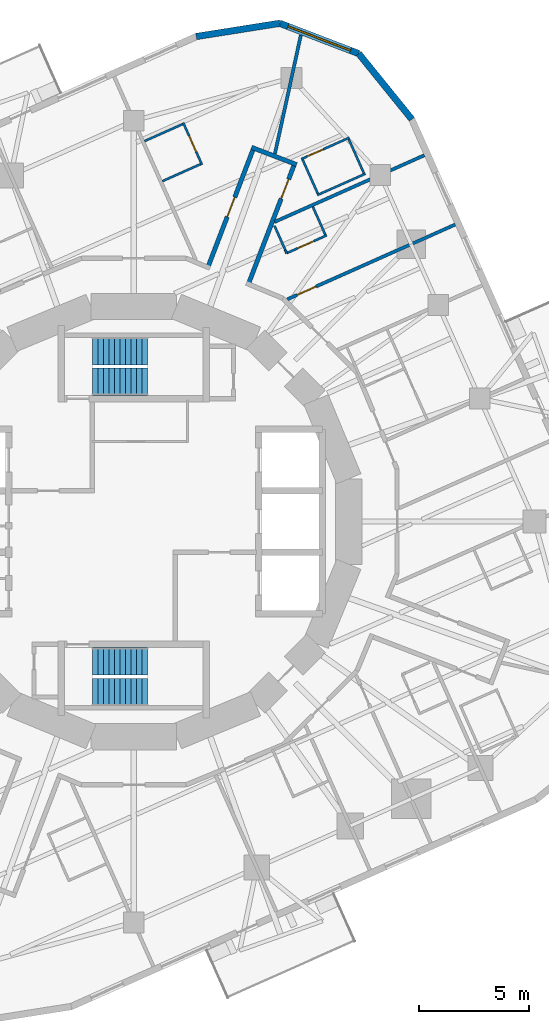
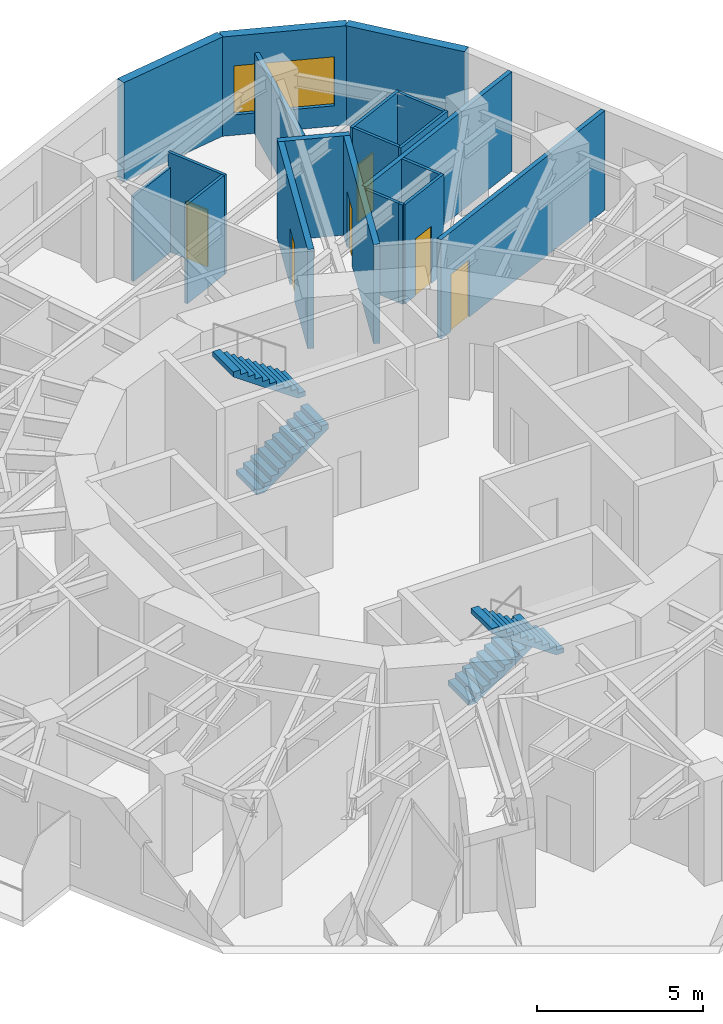
# One storey, part 10 of 12: 20 walls, 6 doors, 4 stair flights, 1 window, 7 openings, 2 elements without a shape of their own.
"""IFC4 building model written with IfcOpenShell, lengths in metres."""

from ifc_helpers import new_model, si_unit, direction, frame, frame_2d, origin, place, context, subcontext, project, spatial, polyline, rectangle, outline, extrude, material, layer, layer_set, type_object, element, fill, aggregate, save


model = new_model("IFC4")

# Units and contexts
model_context = context("Model", 3, precision=1e-05, world=origin(), true_north=direction((0.0, 1.0)))
body_context = subcontext(model_context, "Body", "Model", "MODEL_VIEW")
ifc_project = project(units=[si_unit("LENGTHUNIT", "METRE"), si_unit("AREAUNIT", "SQUARE_METRE"), si_unit("VOLUMEUNIT", "CUBIC_METRE"), si_unit("PLANEANGLEUNIT", "RADIAN"), si_unit("MASSUNIT", "GRAM", prefix="KILO")], contexts=[model_context])

# Site, building, storey
site_placement = place(None, origin())
site = spatial("IfcSite", under=ifc_project, at=site_placement, CompositionType="ELEMENT")
building_placement = place(site_placement, origin())
building = spatial("IfcBuilding", under=site, at=building_placement, Name="Nakasero Lantern House", CompositionType="ELEMENT")
storey_placement = place(building_placement, frame((0.0, 0.0, 197.85009765625)))
storey = spatial("IfcBuildingStorey", under=building, at=storey_placement, Name="L48", CompositionType="ELEMENT", Elevation=197.85009765625)

# Wall, opening, door
ifc_material_1 = material(Name="Blockwork", Category="masonry")
ifc_layer_1 = layer(ifc_material_1, 0.199951171875)
ifc_layer_set_1 = layer_set([ifc_layer_1], Name="Corridor wall 200")
wall_type_1 = type_object("IfcWallType", Name="Corridor wall 200", PredefinedType="PARTITIONING", material=ifc_layer_set_1)
wall_1_placement = place(storey_placement, frame((5.22900390625, 10.831298828125, 0.0), z_axis=(0.0, 0.0, 1.0), x_axis=(0.358357154711, 0.933584570174, 0.0)))
wall_1 = element("IfcWall", 1, at=wall_1_placement, inside=storey, type_object=wall_type_1, Name="Corridor wall L48 SP0a", PredefinedType="PARTITIONING", context=body_context, shape_type="SweptSolid", body=[
    extrude(rectangle(XDim=5.97216796875, YDim=0.199951171875, at=frame_2d((2.986083984375, 0.0))), origin(), (0.0, 0.0, 1.0), 3.64990234375),
])
opening_1_placement = place(wall_1_placement, frame((4.169921875, 0.0, 0.0)))
opening_1 = element("IfcOpeningElement", 2, at=opening_1_placement, cuts=wall_1, Name="Opening D01", PredefinedType="OPENING", context=body_context, shape_type="SweptSolid", body=[
    extrude(rectangle(XDim=0.949951171875, YDim=2.10009765625, at=frame_2d((0.47509765625, 1.050048828125))), frame((0.0, 0.119873046875, 0.0), z_axis=(0.0, -1.0, 0.0), x_axis=(1.0, 0.0, 0.0)), (0.0, 0.0, 1.0), 0.239990234375),
])
ifc_material_2 = material(Name="Timber C24", Category="wood")
door_type_1 = type_object("IfcDoorType", Name="Bedroom door FD30S 950", OperationType="SINGLE_SWING_LEFT", PredefinedType="DOOR", material=ifc_material_2)
door_1_placement = place(opening_1_placement, origin())
door_1 = element("IfcDoor", 3, at=door_1_placement, inside=storey, type_object=door_type_1, Name="Door L48 D0-06", OperationType="SINGLE_SWING_RIGHT", OverallHeight=2.10009765625, OverallWidth=0.949951171875, PredefinedType="DOOR", context=body_context, shape_type="SweptSolid", body=[
    extrude(rectangle(XDim=0.949951171875, YDim=2.10009765625, at=frame_2d((0.47509765625, 1.050048828125))), frame((0.0, 0.02490234375, 0.0), z_axis=(0.0, -1.0, 0.0), x_axis=(1.0, 0.0, 0.0)), (0.0, 0.0, 1.0), 0.050048828125),
])
fill(opening_1, door_1)

wall_2_placement = place(storey_placement, frame((3.380615234375, 11.596923828125, 0.0), z_axis=(0.0, 0.0, 1.0), x_axis=(0.358362690674, 0.933582445172, 0.0)))
wall_2 = element("IfcWall", 4, at=wall_2_placement, inside=storey, type_object=wall_type_1, Name="Corridor wall L48 SP0b", PredefinedType="PARTITIONING", context=body_context, shape_type="SweptSolid", body=[
    extrude(rectangle(XDim=5.91943359375, YDim=0.199951171875, at=frame_2d((2.959716796875, 0.0))), origin(), (0.0, 0.0, 1.0), 3.64990234375),
])
opening_2_placement = place(wall_2_placement, frame((2.469970703125, 0.0, 0.0)))
opening_2 = element("IfcOpeningElement", 5, at=opening_2_placement, cuts=wall_2, Name="Opening D01", PredefinedType="OPENING", context=body_context, shape_type="SweptSolid", body=[
    extrude(rectangle(XDim=0.949951171875, YDim=2.10009765625, at=frame_2d((0.47509765625, 1.050048828125))), frame((0.0, 0.119873046875, 0.0), z_axis=(0.0, -1.0, 0.0), x_axis=(1.0, 0.0, 0.0)), (0.0, 0.0, 1.0), 0.239990234375),
])
door_2_placement = place(opening_2_placement, origin())
door_2 = element("IfcDoor", 6, at=door_2_placement, inside=storey, type_object=door_type_1, Name="Door L48 D1-00", OperationType="SINGLE_SWING_LEFT", OverallHeight=2.10009765625, OverallWidth=0.949951171875, PredefinedType="DOOR", context=body_context, shape_type="SweptSolid", body=[
    extrude(rectangle(XDim=0.949951171875, YDim=2.10009765625, at=frame_2d((0.47509765625, 1.050048828125))), frame((0.0, 0.02490234375, 0.0), z_axis=(0.0, -1.0, 0.0), x_axis=(1.0, 0.0, 0.0)), (0.0, 0.0, 1.0), 0.050048828125),
])
fill(opening_2, door_2)

# Wall
wall_3_placement = place(storey_placement, frame((7.426513671875, 16.277587890625, 0.0), z_axis=(0.0, 0.0, 1.0), x_axis=(-0.933582812604, 0.358361733464, 0.0)))
element("IfcWall", 7, at=wall_3_placement, inside=storey, type_object=wall_type_1, Name="Corridor wall L48 SP0e", PredefinedType="PARTITIONING", context=body_context, shape_type="SweptSolid", body=[
    extrude(rectangle(XDim=2.19970703125, YDim=0.199951171875, at=frame_2d((1.099853515625, 0.0))), origin(), (0.0, 0.0, 1.0), 3.64990234375),
])

# Wall, opening, door
ifc_material_3 = material(Name="Blockwork", Category="masonry")
ifc_layer_2 = layer(ifc_material_3, 0.10009765625)
ifc_layer_set_2 = layer_set([ifc_layer_2], Name="En-suite wall 100")
wall_type_2 = type_object("IfcWallType", Name="En-suite wall 100", PredefinedType="PARTITIONING", material=ifc_layer_set_2)
wall_4_placement = place(storey_placement, frame((6.974853515625, 12.23974609375, 0.0), z_axis=(0.0, 0.0, 1.0), x_axis=(0.913549606868, 0.406727323635, 0.0)))
wall_4 = element("IfcWall", 8, at=wall_4_placement, inside=storey, type_object=wall_type_2, Name="En-suite wall L48 ES0-05", PredefinedType="PARTITIONING", context=body_context, shape_type="SweptSolid", body=[
    extrude(rectangle(XDim=2.0, YDim=0.10009765625, at=frame_2d((1.0, 0.0))), origin(), (0.0, 0.0, 1.0), 3.64990234375),
])
opening_3_placement = place(wall_4_placement, frame((0.550048828125, 0.0, 0.0)))
opening_3 = element("IfcOpeningElement", 9, at=opening_3_placement, cuts=wall_4, Name="Opening D02", PredefinedType="OPENING", context=body_context, shape_type="SweptSolid", body=[
    extrude(rectangle(XDim=0.800048828125, YDim=2.10009765625, at=frame_2d((0.39990234375, 1.050048828125))), frame((0.0, 0.070068359375, 0.0), z_axis=(0.0, -1.0, 0.0), x_axis=(1.0, 0.0, 0.0)), (0.0, 0.0, 1.0), 0.14013671875),
])
ifc_material_4 = material(Name="Timber C24", Category="wood")
door_type_2 = type_object("IfcDoorType", Name="En-suite door 800", OperationType="SINGLE_SWING_RIGHT", PredefinedType="DOOR", material=ifc_material_4)
door_3_placement = place(opening_3_placement, origin())
door_3 = element("IfcDoor", 10, at=door_3_placement, inside=storey, type_object=door_type_2, Name="Door L48 DE0-05", OperationType="SINGLE_SWING_LEFT", OverallHeight=2.10009765625, OverallWidth=0.800048828125, PredefinedType="DOOR", context=body_context, shape_type="SweptSolid", body=[
    extrude(rectangle(XDim=0.800048828125, YDim=2.10009765625, at=frame_2d((0.39990234375, 1.050048828125))), frame((0.0, 0.02490234375, 0.0), z_axis=(0.0, -1.0, 0.0), x_axis=(1.0, 0.0, 0.0)), (0.0, 0.0, 1.0), 0.050048828125),
])
fill(opening_3, door_3)

# Wall
wall_5_placement = place(storey_placement, frame((8.736083984375, 13.07861328125, 0.0), z_axis=(0.0, 0.0, 1.0), x_axis=(-0.406801678348, 0.9135164993, 0.0)))
element("IfcWall", 11, at=wall_5_placement, inside=storey, type_object=wall_type_2, Name="En-suite wall L48 EE0-05", PredefinedType="PARTITIONING", context=body_context, shape_type="SweptSolid", body=[
    extrude(rectangle(XDim=1.400146484375, YDim=0.10009765625, at=frame_2d((0.7001953125, 0.0))), origin(), (0.0, 0.0, 1.0), 3.64990234375),
])

# Wall, opening, door
wall_6_placement = place(storey_placement, frame((7.63720703125, 16.530029296875, 0.0), z_axis=(0.0, 0.0, 1.0), x_axis=(0.913513461389, 0.406808500233, 0.0)))
wall_6 = element("IfcWall", 12, at=wall_6_placement, inside=storey, type_object=wall_type_2, Name="En-suite wall L48 ES0-06", PredefinedType="PARTITIONING", context=body_context, shape_type="SweptSolid", body=[
    extrude(rectangle(XDim=2.39990234375, YDim=0.10009765625, at=frame_2d((1.199951171875, 0.0))), origin(), (0.0, 0.0, 1.0), 3.64990234375),
])
opening_4_placement = place(wall_6_placement, frame((0.300048828125, 0.0, 0.0)))
opening_4 = element("IfcOpeningElement", 13, at=opening_4_placement, cuts=wall_6, Name="Opening D02", PredefinedType="OPENING", context=body_context, shape_type="SweptSolid", body=[
    extrude(rectangle(XDim=0.800048828125, YDim=2.10009765625, at=frame_2d((0.39990234375, 1.050048828125))), frame((0.0, 0.070068359375, 0.0), z_axis=(0.0, -1.0, 0.0), x_axis=(1.0, 0.0, 0.0)), (0.0, 0.0, 1.0), 0.14013671875),
])
door_4_placement = place(opening_4_placement, origin())
door_4 = element("IfcDoor", 14, at=door_4_placement, inside=storey, type_object=door_type_2, Name="Door L48 DE0-06", OperationType="SINGLE_SWING_LEFT", OverallHeight=2.10009765625, OverallWidth=0.800048828125, PredefinedType="DOOR", context=body_context, shape_type="SweptSolid", body=[
    extrude(rectangle(XDim=0.800048828125, YDim=2.10009765625, at=frame_2d((0.39990234375, 1.050048828125))), frame((0.0, 0.02490234375, 0.0), z_axis=(0.0, -1.0, 0.0), x_axis=(1.0, 0.0, 0.0)), (0.0, 0.0, 1.0), 0.050048828125),
])
fill(opening_4, door_4)

# Walls
wall_7_placement = place(storey_placement, frame((8.369384765625, 14.8857421875, 0.0), z_axis=(0.0, 0.0, 1.0), x_axis=(0.913551263516, 0.406723602621, 0.0)))
element("IfcWall", 15, at=wall_7_placement, inside=storey, type_object=wall_type_2, Name="En-suite wall L48 EV0-06", PredefinedType="PARTITIONING", context=body_context, shape_type="SweptSolid", body=[
    extrude(rectangle(XDim=2.39990234375, YDim=0.10009765625, at=frame_2d((1.199951171875, 0.0))), origin(), (0.0, 0.0, 1.0), 3.64990234375),
])
for number, where, z_axis, x_axis, name in (
    (16, (10.495849609375, 15.88720703125, 0.0), (0.0, 0.0, 1.0), (-0.406724697108, 0.913550776237, 0.0), "En-suite wall L48 EE0-06"),
    (17, (8.39453125, 14.95166015625, 0.0), (0.0, 0.0, 1.0), (-0.406724697108, 0.913550776237, 0.0), "En-suite wall L48 EI0-06"),
):
    element("IfcWall", number, at=place(storey_placement, frame(where, z_axis=z_axis, x_axis=x_axis)), inside=storey, type_object=wall_type_2, Name=name, PredefinedType="PARTITIONING", context=body_context, shape_type="SweptSolid", body=[
        extrude(rectangle(XDim=1.699951171875, YDim=0.10009765625, at=frame_2d((0.85009765625, 0.0))), origin(), (0.0, 0.0, 1.0), 3.64990234375),
    ])

# Wall, opening, door
wall_8_placement = place(storey_placement, frame((3.11083984375, 16.27197265625, 0.0), z_axis=(0.0, 0.0, 1.0), x_axis=(-0.406774771494, 0.913528480824, 0.0)))
wall_8 = element("IfcWall", 18, at=wall_8_placement, inside=storey, type_object=wall_type_2, Name="En-suite wall L48 ES1-00", PredefinedType="PARTITIONING", context=body_context, shape_type="SweptSolid", body=[
    extrude(rectangle(XDim=2.10009765625, YDim=0.10009765625, at=frame_2d((1.050048828125, 0.0))), origin(), (0.0, 0.0, 1.0), 3.64990234375),
])
opening_5_placement = place(wall_8_placement, frame((0.64990234375, 0.0, 0.0)))
opening_5 = element("IfcOpeningElement", 19, at=opening_5_placement, cuts=wall_8, Name="Opening D02", PredefinedType="OPENING", context=body_context, shape_type="SweptSolid", body=[
    extrude(rectangle(XDim=0.800048828125, YDim=2.10009765625, at=frame_2d((0.39990234375, 1.050048828125))), frame((0.0, 0.070068359375, 0.0), z_axis=(0.0, -1.0, 0.0), x_axis=(1.0, 0.0, 0.0)), (0.0, 0.0, 1.0), 0.14013671875),
])
door_5_placement = place(opening_5_placement, origin())
door_5 = element("IfcDoor", 20, at=door_5_placement, inside=storey, type_object=door_type_2, Name="Door L48 DE1-00", OperationType="SINGLE_SWING_RIGHT", OverallHeight=2.10009765625, OverallWidth=0.800048828125, PredefinedType="DOOR", context=body_context, shape_type="SweptSolid", body=[
    extrude(rectangle(XDim=0.800048828125, YDim=2.10009765625, at=frame_2d((0.39990234375, 1.050048828125))), frame((0.0, 0.02490234375, 0.0), z_axis=(0.0, -1.0, 0.0), x_axis=(1.0, 0.0, 0.0)), (0.0, 0.0, 1.0), 0.050048828125),
])
fill(opening_5, door_5)

# Walls
wall_9_placement = place(storey_placement, frame((2.2314453125, 18.12451171875, 0.0), z_axis=(0.0, 0.0, 1.0), x_axis=(-0.913572953725, -0.406674880245, 0.0)))
element("IfcWall", 21, at=wall_9_placement, inside=storey, type_object=wall_type_2, Name="En-suite wall L48 EE1-00", PredefinedType="PARTITIONING", context=body_context, shape_type="SweptSolid", body=[
    extrude(rectangle(XDim=1.900146484375, YDim=0.10009765625, at=frame_2d((0.9501953125, 0.0))), origin(), (0.0, 0.0, 1.0), 3.11328125),
])
wall_10_placement = place(storey_placement, frame((3.044677734375, 16.29736328125, 0.0), z_axis=(0.0, 0.0, 1.0), x_axis=(-0.913551699523, -0.406722623293, 0.0)))
element("IfcWall", 22, at=wall_10_placement, inside=storey, type_object=wall_type_2, Name="En-suite wall L48 EI1-00", PredefinedType="PARTITIONING", context=body_context, shape_type="SweptSolid", body=[
    extrude(rectangle(XDim=1.89990234375, YDim=0.10009765625, at=frame_2d((0.949951171875, 0.0))), origin(), (0.0, 0.0, 1.0), 3.64990234375),
])
wall_11_placement = place(storey_placement, frame((6.419677734375, 13.48681640625, 0.0), z_axis=(0.0, 0.0, 1.0), x_axis=(0.406815070933, -0.913510535277, 0.0)))
element("IfcWall", 23, at=wall_11_placement, inside=storey, type_object=wall_type_2, Name="En-suite wall L48 EX000", PredefinedType="PARTITIONING", context=body_context, shape_type="SweptSolid", body=[
    extrude(rectangle(XDim=1.205078125, YDim=0.10009765625, at=frame_2d((0.6025390625, 0.0))), origin(), (0.0, 0.0, 1.0), 3.64990234375),
])
wall_12_placement = place(storey_placement, frame((6.974853515625, 12.23974609375, 0.0), z_axis=(0.0, 0.0, 1.0), x_axis=(-0.405855313637, 0.913937341612, 0.0)))
element("IfcWall", 24, at=wall_12_placement, inside=storey, type_object=wall_type_2, Name="En-suite wall L48 ES0-05R0", PredefinedType="PARTITIONING", context=body_context, shape_type="SweptSolid", body=[
    extrude(rectangle(XDim=0.159912109375, YDim=0.10009765625, at=frame_2d((0.080078125, 0.0))), origin(), (0.0, 0.0, 1.0), 3.64990234375),
])
ifc_material_5 = material(Name="Aluminium rainscreen on blockwork", Category="masonry")
ifc_layer_3 = layer(ifc_material_5, 0.300048828125)
ifc_layer_set_3 = layer_set([ifc_layer_3], Name="Facade wall 300")
wall_type_3 = type_object("IfcWallType", Name="Facade wall 300", PredefinedType="SOLIDWALL", material=ifc_layer_set_3)
wall_13_placement = place(storey_placement, frame((12.684814453125, 18.345458984375, 0.0), z_axis=(0.0, 0.0, 1.0), x_axis=(-0.629285642335, 0.777174099125, 0.0)))
element("IfcWall", 25, at=wall_13_placement, inside=storey, type_object=wall_type_3, Name="Facade wall L48 FW0C1", PredefinedType="SOLIDWALL", context=body_context, shape_type="SweptSolid", body=[
    extrude(rectangle(XDim=3.8564453125, YDim=0.300048828125, at=frame_2d((1.92822265625, 0.0))), origin(), (0.0, 0.0, 1.0), 3.64990234375),
])

# Wall, opening, window
wall_14_placement = place(storey_placement, frame((10.258056640625, 21.342529296875, 0.0), z_axis=(0.0, 0.0, 1.0), x_axis=(-0.933598278948, 0.358321438858, 0.0)))
wall_14 = element("IfcWall", 26, at=wall_14_placement, inside=storey, type_object=wall_type_3, Name="Facade wall L48 FW0C2", PredefinedType="SOLIDWALL", context=body_context, shape_type="SweptSolid", body=[
    extrude(rectangle(XDim=3.8564453125, YDim=0.300048828125, at=frame_2d((1.92822265625, 0.0))), origin(), (0.0, 0.0, 1.0), 3.64990234375),
])
opening_6_placement = place(wall_14_placement, frame((0.39990234375, 0.0, 0.75)))
opening_6 = element("IfcOpeningElement", 27, at=opening_6_placement, cuts=wall_14, Name="Opening W230", PredefinedType="OPENING", context=body_context, shape_type="SweptSolid", body=[
    extrude(rectangle(XDim=3.055908203125, YDim=1.800048828125, at=frame_2d((1.52783203125, 0.89990234375))), frame((0.0, 0.169921875, 0.0), z_axis=(0.0, -1.0, 0.0), x_axis=(1.0, 0.0, 0.0)), (0.0, 0.0, 1.0), 0.340087890625),
])
ifc_material_6 = material(Name="Aluminium 6063-T6 and glass", Category="aluminium")
window_type = type_object("IfcWindowType", Name="Corner window 3056x1800", PartitioningType="SINGLE_PANEL", PredefinedType="WINDOW", material=ifc_material_6)
window_placement = place(opening_6_placement, origin())
window = element("IfcWindow", 28, at=window_placement, inside=storey, type_object=window_type, Name="Window L48 WC0", OverallHeight=1.800048828125, OverallWidth=3.055908203125, PartitioningType="SINGLE_PANEL", PredefinedType="WINDOW", context=body_context, shape_type="SweptSolid", body=[
    extrude(rectangle(XDim=3.055908203125, YDim=1.800048828125, at=frame_2d((1.52783203125, 0.89990234375))), frame((0.0, 0.030029296875, 0.0), z_axis=(0.0, -1.0, 0.0), x_axis=(1.0, 0.0, 0.0)), (0.0, 0.0, 1.0), 0.06005859375),
])
fill(opening_6, window)

# Wall
wall_15_placement = place(storey_placement, frame((6.65771484375, 22.724365234375, 0.0), z_axis=(0.0, 0.0, 1.0), x_axis=(-0.987687906802, -0.156437203878, 0.0)))
element("IfcWall", 29, at=wall_15_placement, inside=storey, type_object=wall_type_3, Name="Facade wall L48 FW0C3", PredefinedType="SOLIDWALL", context=body_context, shape_type="SweptSolid", body=[
    extrude(rectangle(XDim=3.856201171875, YDim=0.300048828125, at=frame_2d((1.92822265625, 0.0))), origin(), (0.0, 0.0, 1.0), 3.64990234375),
])

# Wall, opening, door
ifc_material_7 = material(Name="Blockwork", Category="masonry")
ifc_layer_4 = layer(ifc_material_7, 0.14990234375)
ifc_layer_set_4 = layer_set([ifc_layer_4], Name="Party wall 150")
wall_type_4 = type_object("IfcWallType", Name="Party wall 150", PredefinedType="PARTITIONING", material=ifc_layer_set_4)
wall_16_placement = place(storey_placement, frame((6.99267578125, 10.130615234375, 0.0), z_axis=(0.0, 0.0, 1.0), x_axis=(0.913547411288, 0.406732255089, 0.0)))
wall_16 = element("IfcWall", 30, at=wall_16_placement, inside=storey, type_object=wall_type_4, Name="Party wall L48 PW0-05", PredefinedType="PARTITIONING", context=body_context, shape_type="SweptSolid", body=[
    extrude(rectangle(XDim=8.3916015625, YDim=0.14990234375, at=frame_2d((4.19580078125, 0.0))), origin(), (0.0, 0.0, 1.0), 3.64990234375),
])
opening_7_placement = place(wall_16_placement, frame((0.5, 0.0, 0.0)))
opening_7 = element("IfcOpeningElement", 31, at=opening_7_placement, cuts=wall_16, Name="Opening D01", PredefinedType="OPENING", context=body_context, shape_type="SweptSolid", body=[
    extrude(rectangle(XDim=0.949951171875, YDim=2.10009765625, at=frame_2d((0.47509765625, 1.050048828125))), frame((0.0, 0.094970703125, 0.0), z_axis=(0.0, -1.0, 0.0), x_axis=(1.0, 0.0, 0.0)), (0.0, 0.0, 1.0), 0.18994140625),
])
door_6_placement = place(opening_7_placement, origin())
door_6 = element("IfcDoor", 32, at=door_6_placement, inside=storey, type_object=door_type_1, Name="Door L48 DS0-05", OperationType="SINGLE_SWING_LEFT", OverallHeight=2.10009765625, OverallWidth=0.949951171875, PredefinedType="DOOR", context=body_context, shape_type="SweptSolid", body=[
    extrude(rectangle(XDim=0.949951171875, YDim=2.10009765625, at=frame_2d((0.47509765625, 1.050048828125))), frame((0.0, 0.02490234375, 0.0), z_axis=(0.0, -1.0, 0.0), x_axis=(1.0, 0.0, 0.0)), (0.0, 0.0, 1.0), 0.050048828125),
])
fill(opening_7, door_6)

# Walls
wall_17_placement = place(storey_placement, frame((6.423095703125, 13.663330078125, 0.0), z_axis=(0.0, 0.0, 1.0), x_axis=(0.913546019887, 0.406735380252, 0.0)))
element("IfcWall", 33, at=wall_17_placement, inside=storey, type_object=wall_type_4, Name="Party wall L48 PW0-06", PredefinedType="PARTITIONING", context=body_context, shape_type="SweptSolid", body=[
    extrude(rectangle(XDim=7.474853515625, YDim=0.14990234375, at=frame_2d((3.7373046875, 0.0))), origin(), (0.0, 0.0, 1.0), 3.64990234375),
])
wall_18_placement = place(storey_placement, frame((6.435546875, 16.76513671875, 0.0), z_axis=(0.0, 0.0, 1.0), x_axis=(0.213734913997, 0.976891696422, 0.0)))
element("IfcWall", 34, at=wall_18_placement, inside=storey, type_object=wall_type_4, Name="Party wall L48 PW1-00", PredefinedType="PARTITIONING", context=body_context, shape_type="SweptSolid", body=[
    extrude(rectangle(XDim=5.55126953125, YDim=0.14990234375, at=frame_2d((2.775634765625, 0.0))), origin(), (0.0, 0.0, 1.0), 2.96630859375),
])

# Stair, stair flights
ifc_material_8 = material(Name="Concrete C40/50", Category="concrete")
stair_type_1 = type_object("IfcStairType", Name="Escape stair ST1 22 risers", PredefinedType="HALF_TURN_STAIR", material=ifc_material_8)
stair_1_placement = place(storey_placement, origin())
stair_1 = element("IfcStair", 35, at=stair_1_placement, inside=storey, type_object=stair_type_1, Name="Escape stair ST1 L48", PredefinedType="HALF_TURN_STAIR")
ifc_material_9 = material(Name="Concrete C40/50", Category="concrete")
stair_flight_type = type_object("IfcStairFlightType", Name="Escape stair flight", PredefinedType="STRAIGHT", material=ifc_material_9)
stair_flight_1_placement = place(storey_placement, frame((-1.875, 6.375, 0.0), z_axis=(0.0, 0.0, 1.0), x_axis=(1.0, 0.0, 0.0)))
stair_flight_1 = element("IfcStairFlight", 36, at=stair_flight_1_placement, type_object=stair_flight_type, Name="ST1 flight 1", NumberOfRisers=11, NumberOfTreads=10, PredefinedType="STRAIGHT", RiserHeight=0.175, TreadLength=0.25, context=body_context, shape_type="SweptSolid", body=[
    extrude(outline(polyline([(0.0, 0.0), (0.0, 0.175048828125), (0.25, 0.175048828125), (0.25, 0.35009765625), (0.5, 0.35009765625), (0.5, 0.52490234375), (0.75, 0.52490234375), (0.75, 0.699951171875), (1.0, 0.699951171875), (1.0, 0.875), (1.25, 0.875), (1.25, 1.050048828125), (1.5, 1.050048828125), (1.5, 1.22509765625), (1.75, 1.22509765625), (1.75, 1.39990234375), (2.0, 1.39990234375), (2.0, 1.574951171875), (2.25, 1.574951171875), (2.25, 1.75), (2.5, 1.75), (2.5, 1.925048828125), (2.5, 1.567138671875), (0.261474609375, 0.0), (0.0, 0.0)])), frame((0.0, 0.625, 0.0), z_axis=(0.0, -1.0, 0.0), x_axis=(1.0, 0.0, 0.0)), (0.0, 0.0, 1.0), 1.25),
])
stair_flight_2_placement = place(storey_placement, frame((0.625, 7.77490234375, 1.9248046875), z_axis=(0.0, 0.0, 1.0), x_axis=(-1.0, 0.0, 0.0)))
stair_flight_2 = element("IfcStairFlight", 37, at=stair_flight_2_placement, type_object=stair_flight_type, Name="ST1 flight 2", NumberOfRisers=11, NumberOfTreads=10, PredefinedType="STRAIGHT", RiserHeight=0.175, TreadLength=0.25, context=body_context, shape_type="SweptSolid", body=[
    extrude(outline(polyline([(0.0, 0.0), (0.0, 0.175048828125), (0.25, 0.175048828125), (0.25, 0.35009765625), (0.5, 0.35009765625), (0.5, 0.52490234375), (0.75, 0.52490234375), (0.75, 0.699951171875), (1.0, 0.699951171875), (1.0, 0.875), (1.25, 0.875), (1.25, 1.050048828125), (1.5, 1.050048828125), (1.5, 1.22509765625), (1.75, 1.22509765625), (1.75, 1.39990234375), (2.0, 1.39990234375), (2.0, 1.574951171875), (2.25, 1.574951171875), (2.25, 1.75), (2.5, 1.75), (2.5, 1.925048828125), (2.5, 1.567138671875), (0.261474609375, 0.0), (0.0, 0.0)])), frame((0.0, 0.625, 0.0), z_axis=(0.0, -1.0, 0.0), x_axis=(1.0, 0.0, 0.0)), (0.0, 0.0, 1.0), 1.25),
])
aggregate(stair_1, [stair_flight_1, stair_flight_2])

ifc_material_10 = material(Name="Concrete C40/50", Category="concrete")
stair_type_2 = type_object("IfcStairType", Name="Escape stair ST2 22 risers", PredefinedType="HALF_TURN_STAIR", material=ifc_material_10)
stair_2_placement = place(storey_placement, origin())
stair_2 = element("IfcStair", 38, at=stair_2_placement, inside=storey, type_object=stair_type_2, Name="Escape stair ST2 L48", PredefinedType="HALF_TURN_STAIR")
stair_flight_3_placement = place(storey_placement, frame((-1.875, -6.375, 0.0), z_axis=(0.0, 0.0, 1.0), x_axis=(1.0, 0.0, 0.0)))
stair_flight_3 = element("IfcStairFlight", 39, at=stair_flight_3_placement, type_object=stair_flight_type, Name="ST2 flight 1", NumberOfRisers=11, NumberOfTreads=10, PredefinedType="STRAIGHT", RiserHeight=0.175, TreadLength=0.25, context=body_context, shape_type="SweptSolid", body=[
    extrude(outline(polyline([(0.0, 0.0), (0.0, 0.175048828125), (0.25, 0.175048828125), (0.25, 0.35009765625), (0.5, 0.35009765625), (0.5, 0.52490234375), (0.75, 0.52490234375), (0.75, 0.699951171875), (1.0, 0.699951171875), (1.0, 0.875), (1.25, 0.875), (1.25, 1.050048828125), (1.5, 1.050048828125), (1.5, 1.22509765625), (1.75, 1.22509765625), (1.75, 1.39990234375), (2.0, 1.39990234375), (2.0, 1.574951171875), (2.25, 1.574951171875), (2.25, 1.75), (2.5, 1.75), (2.5, 1.925048828125), (2.5, 1.567138671875), (0.261474609375, 0.0), (0.0, 0.0)])), frame((0.0, 0.625, 0.0), z_axis=(0.0, -1.0, 0.0), x_axis=(1.0, 0.0, 0.0)), (0.0, 0.0, 1.0), 1.25),
])
stair_flight_4_placement = place(storey_placement, frame((0.625, -7.77490234375, 1.9248046875), z_axis=(0.0, 0.0, 1.0), x_axis=(-1.0, 0.0, 0.0)))
stair_flight_4 = element("IfcStairFlight", 40, at=stair_flight_4_placement, type_object=stair_flight_type, Name="ST2 flight 2", NumberOfRisers=11, NumberOfTreads=10, PredefinedType="STRAIGHT", RiserHeight=0.175, TreadLength=0.25, context=body_context, shape_type="SweptSolid", body=[
    extrude(outline(polyline([(0.0, 0.0), (0.0, 0.175048828125), (0.25, 0.175048828125), (0.25, 0.35009765625), (0.5, 0.35009765625), (0.5, 0.52490234375), (0.75, 0.52490234375), (0.75, 0.699951171875), (1.0, 0.699951171875), (1.0, 0.875), (1.25, 0.875), (1.25, 1.050048828125), (1.5, 1.050048828125), (1.5, 1.22509765625), (1.75, 1.22509765625), (1.75, 1.39990234375), (2.0, 1.39990234375), (2.0, 1.574951171875), (2.25, 1.574951171875), (2.25, 1.75), (2.5, 1.75), (2.5, 1.925048828125), (2.5, 1.567138671875), (0.261474609375, 0.0), (0.0, 0.0)])), frame((0.0, 0.625, 0.0), z_axis=(0.0, -1.0, 0.0), x_axis=(1.0, 0.0, 0.0)), (0.0, 0.0, 1.0), 1.25),
])
aggregate(stair_2, [stair_flight_3, stair_flight_4])

save(model, "model.ifc")
